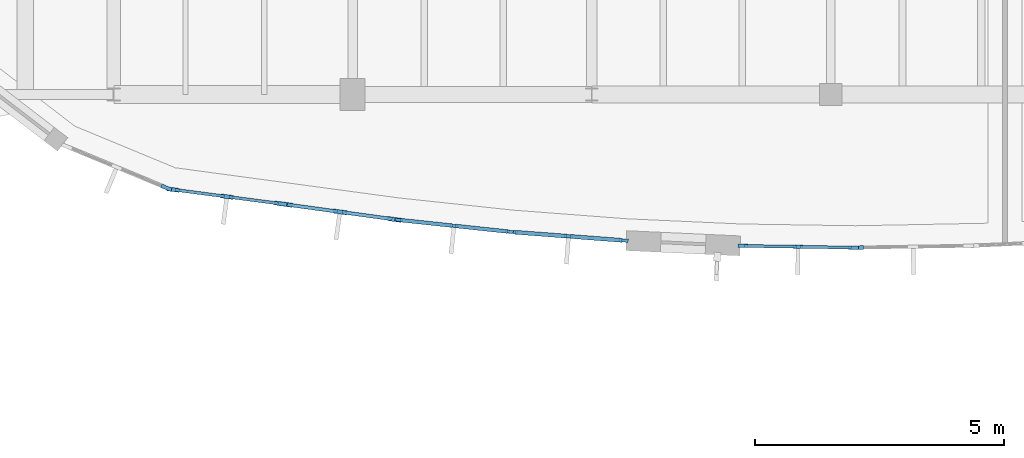
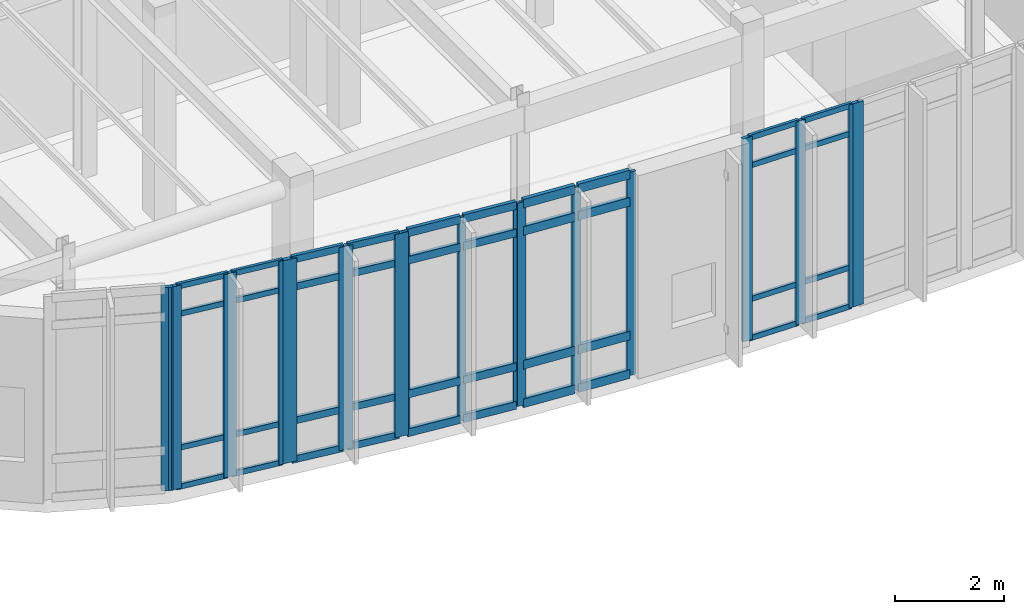
# One storey, part 55 of 120: 57 members, 7 elements without a shape of their own.
"""IFC4 building model written with IfcOpenShell, lengths in metres."""

from ifc_helpers import new_model, si_unit, direction, frame, origin, origin_2d, place, context, subcontext, project, spatial, rectangle, extrude, material, material_profile, profile_set, type_object, element, aggregate, save


model = new_model("IFC4")

# Units and contexts
model_context = context("Model", 3, precision=1e-05, world=origin(), true_north=direction((0.0, 1.0)))
body_context = subcontext(model_context, "Body", "Model", "MODEL_VIEW")
ifc_project = project(units=[si_unit("LENGTHUNIT", "METRE"), si_unit("AREAUNIT", "SQUARE_METRE"), si_unit("VOLUMEUNIT", "CUBIC_METRE"), si_unit("PLANEANGLEUNIT", "RADIAN"), si_unit("MASSUNIT", "GRAM", prefix="KILO")], contexts=[model_context])

# Site, building, storey
site_placement = place(None, origin())
site = spatial("IfcSite", under=ifc_project, at=site_placement, CompositionType="ELEMENT")
building_placement = place(site_placement, origin())
building = spatial("IfcBuilding", under=site, at=building_placement, Name="Corveleigh Park Community Centre", CompositionType="ELEMENT")
storey_placement = place(building_placement, origin())
storey = spatial("IfcBuildingStorey", under=building, at=storey_placement, Name="L00", CompositionType="ELEMENT", Elevation=0.0)

# Curtain wall, members
ifc_material = material(Name="Anodised aluminium 6063-T6", Category="aluminium")
curtain_wall_type = type_object("IfcCurtainWallType", Name="CW-SYS-V4-L00", PredefinedType="NOTDEFINED", material=ifc_material)
curtain_wall_1_placement = place(storey_placement, origin())
curtain_wall_1 = element("IfcCurtainWall", 1, at=curtain_wall_1_placement, inside=storey, type_object=curtain_wall_type, Name="V4 L00 Curtain Wall 109", PredefinedType="NOTDEFINED")
ifc_material_profile_1 = material_profile(ifc_material, rectangle(XDim=0.06005859375, YDim=0.159912109375, at=origin_2d()), Name="ALU-M60x160", Category="aluminium")
ifc_profile_set_1 = profile_set([ifc_material_profile_1], Name="Anodised aluminium 6063-T6")
member_type_1 = type_object("IfcMemberType", Name="CWM-60x160", PredefinedType="MULLION", material=ifc_profile_set_1)
member_1_placement = place(storey_placement, frame((142.544189453125, 55.84423828125, 0.0), z_axis=(0.0, 0.0, 1.0), x_axis=(-0.106070735992, -0.994358586711, 0.0)))
member_1 = element("IfcMember", 2, at=member_1_placement, type_object=member_type_1, Name="CW07 mullion 1", PredefinedType="MULLION", context=body_context, shape_type="SweptSolid", body=[
    extrude(rectangle(XDim=0.06005859375, YDim=0.159912109375, at=origin_2d()), origin(), (0.0, 0.0, 1.0), 4.537109375),
])
member_2_placement = place(storey_placement, frame((141.43505859375, 55.96240234375, 0.0), z_axis=(0.0, 0.0, 1.0), x_axis=(-0.106070735992, -0.994358586711, 0.0)))
member_2 = element("IfcMember", 3, at=member_2_placement, type_object=member_type_1, Name="CW07 mullion 2", PredefinedType="MULLION", context=body_context, shape_type="SweptSolid", body=[
    extrude(rectangle(XDim=0.06005859375, YDim=0.159912109375, at=origin_2d()), origin(), (0.0, 0.0, 1.0), 4.537109375),
])
member_3_placement = place(storey_placement, frame((140.325927734375, 56.080810546875, 0.0), z_axis=(0.0, 0.0, 1.0), x_axis=(-0.106070735992, -0.994358586711, 0.0)))
member_3 = element("IfcMember", 4, at=member_3_placement, type_object=member_type_1, Name="CW07 mullion 3", PredefinedType="MULLION", context=body_context, shape_type="SweptSolid", body=[
    extrude(rectangle(XDim=0.06005859375, YDim=0.159912109375, at=origin_2d()), origin(), (0.0, 0.0, 1.0), 4.537109375),
])

curtain_wall_2_placement = place(storey_placement, origin())
curtain_wall_2 = element("IfcCurtainWall", 5, at=curtain_wall_2_placement, inside=storey, type_object=curtain_wall_type, Name="V4 L00 Curtain Wall 110", PredefinedType="NOTDEFINED")
ifc_material_profile_2 = material_profile(ifc_material, rectangle(XDim=0.06494140625, YDim=0.179931640625, at=origin_2d()), Name="ALU-M65x180", Category="aluminium")
ifc_profile_set_2 = profile_set([ifc_material_profile_2], Name="Anodised aluminium 6063-T6")
member_type_2 = type_object("IfcMemberType", Name="CWM-65x180", PredefinedType="MULLION", material=ifc_profile_set_2)
member_4_placement = place(storey_placement, frame((144.843505859375, 55.66845703125, 0.0), z_axis=(0.0, 0.0, 1.0), x_axis=(-0.075527958586, -0.997143684467, 0.0)))
member_4 = element("IfcMember", 6, at=member_4_placement, type_object=member_type_2, Name="CW07 mullion 1", PredefinedType="MULLION", context=body_context, shape_type="SweptSolid", body=[
    extrude(rectangle(XDim=0.06494140625, YDim=0.179931640625, at=origin_2d()), origin(), (0.0, 0.0, 1.0), 4.537109375),
])
member_5_placement = place(storey_placement, frame((143.73388671875, 55.75244140625, 0.0), z_axis=(0.0, 0.0, 1.0), x_axis=(-0.075527958586, -0.997143684467, 0.0)))
member_5 = element("IfcMember", 7, at=member_5_placement, type_object=member_type_2, Name="CW07 mullion 2", PredefinedType="MULLION", context=body_context, shape_type="SweptSolid", body=[
    extrude(rectangle(XDim=0.06494140625, YDim=0.179931640625, at=origin_2d()), origin(), (0.0, 0.0, 1.0), 4.537109375),
])
member_6_placement = place(storey_placement, frame((142.62451171875, 55.83642578125, 0.0), z_axis=(0.0, 0.0, 1.0), x_axis=(-0.075527958586, -0.997143684467, 0.0)))
member_6 = element("IfcMember", 8, at=member_6_placement, type_object=member_type_2, Name="CW07 mullion 3", PredefinedType="MULLION", context=body_context, shape_type="SweptSolid", body=[
    extrude(rectangle(XDim=0.06494140625, YDim=0.179931640625, at=origin_2d()), origin(), (0.0, 0.0, 1.0), 4.537109375),
])

curtain_wall_3_placement = place(storey_placement, origin())
curtain_wall_3 = element("IfcCurtainWall", 9, at=curtain_wall_3_placement, inside=storey, type_object=curtain_wall_type, Name="V4 L00 Curtain Wall 111", PredefinedType="NOTDEFINED")
ifc_material_profile_3 = material_profile(ifc_material, rectangle(XDim=0.070068359375, YDim=0.199951171875, at=origin_2d()), Name="ALU-M70x200", Category="aluminium")
ifc_profile_set_3 = profile_set([ifc_material_profile_3], Name="Anodised aluminium 6063-T6")
member_type_3 = type_object("IfcMemberType", Name="CWM-70x200", PredefinedType="MULLION", material=ifc_profile_set_3)
member_7_placement = place(storey_placement, frame((149.4560546875, 55.524658203125, 0.0), z_axis=(0.0, 0.0, 1.0), x_axis=(-0.01571172252, -0.999876563269, 0.0)))
member_7 = element("IfcMember", 10, at=member_7_placement, type_object=member_type_3, Name="CW07 mullion 1", PredefinedType="MULLION", context=body_context, shape_type="SweptSolid", body=[
    extrude(rectangle(XDim=0.070068359375, YDim=0.199951171875, at=origin_2d()), origin(), (0.0, 0.0, 1.0), 4.537109375),
])
member_8_placement = place(storey_placement, frame((148.345458984375, 55.5419921875, 0.0), z_axis=(0.0, 0.0, 1.0), x_axis=(-0.01571172252, -0.999876563269, 0.0)))
member_8 = element("IfcMember", 11, at=member_8_placement, type_object=member_type_3, Name="CW07 mullion 2", PredefinedType="MULLION", context=body_context, shape_type="SweptSolid", body=[
    extrude(rectangle(XDim=0.070068359375, YDim=0.199951171875, at=origin_2d()), origin(), (0.0, 0.0, 1.0), 4.537109375),
])
member_9_placement = place(storey_placement, frame((147.235107421875, 55.5595703125, 0.0), z_axis=(0.0, 0.0, 1.0), x_axis=(-0.01571172252, -0.999876563269, 0.0)))
member_9 = element("IfcMember", 12, at=member_9_placement, type_object=member_type_3, Name="CW07 mullion 3", PredefinedType="MULLION", context=body_context, shape_type="SweptSolid", body=[
    extrude(rectangle(XDim=0.070068359375, YDim=0.199951171875, at=origin_2d()), origin(), (0.0, 0.0, 1.0), 4.537109375),
])

# Curtain wall, member
curtain_wall_4_placement = place(storey_placement, origin())
curtain_wall_4 = element("IfcCurtainWall", 13, at=curtain_wall_4_placement, inside=storey, type_object=curtain_wall_type, Name="V4 L00 Curtain Wall 112", PredefinedType="NOTDEFINED")
ifc_material_profile_4 = material_profile(ifc_material, rectangle(XDim=0.074951171875, YDim=0.219970703125, at=origin_2d()), Name="ALU-M75x220", Category="aluminium")
ifc_profile_set_4 = profile_set([ifc_material_profile_4], Name="Anodised aluminium 6063-T6")
member_type_4 = type_object("IfcMemberType", Name="CWM-75x220", PredefinedType="MULLION", material=ifc_profile_set_4)
member_10_placement = place(storey_placement, frame((149.54638671875, 55.524658203125, 0.0), z_axis=(0.0, 0.0, 1.0), x_axis=(0.01571172252, -0.999876563269, 0.0)))
member_10 = element("IfcMember", 14, at=member_10_placement, type_object=member_type_4, Name="CW07 mullion 3", PredefinedType="MULLION", context=body_context, shape_type="SweptSolid", body=[
    extrude(rectangle(XDim=0.074951171875, YDim=0.219970703125, at=origin_2d()), origin(), (0.0, 0.0, 1.0), 4.537109375),
])
aggregate(curtain_wall_4, [member_10])

curtain_wall_5_placement = place(storey_placement, origin())
curtain_wall_5 = element("IfcCurtainWall", 15, at=curtain_wall_5_placement, inside=storey, type_object=curtain_wall_type, Name="V4 L00 Curtain Wall 160", PredefinedType="NOTDEFINED")
member_11_placement = place(storey_placement, frame((135.657470703125, 56.726318359375, 0.0), z_axis=(0.0, 0.0, 1.0), x_axis=(-0.383024346152, -0.923738247695, 0.0)))
member_11 = element("IfcMember", 16, at=member_11_placement, type_object=member_type_4, Name="CW07 mullion 1", PredefinedType="MULLION", context=body_context, shape_type="SweptSolid", body=[
    extrude(rectangle(XDim=0.074951171875, YDim=0.219970703125, at=origin_2d()), origin(), (0.0, 0.0, 1.0), 4.537109375),
])
aggregate(curtain_wall_5, [member_11])

# Curtain wall, members
curtain_wall_6_placement = place(storey_placement, origin())
curtain_wall_6 = element("IfcCurtainWall", 17, at=curtain_wall_6_placement, inside=storey, type_object=curtain_wall_type, Name="V4 L00 Curtain Wall 161", PredefinedType="NOTDEFINED")
ifc_material_profile_5 = material_profile(ifc_material, rectangle(XDim=0.080078125, YDim=0.25, at=origin_2d()), Name="ALU-M80x250", Category="aluminium")
ifc_profile_set_5 = profile_set([ifc_material_profile_5], Name="Anodised aluminium 6063-T6")
member_type_5 = type_object("IfcMemberType", Name="CWM-80x250", PredefinedType="MULLION", material=ifc_profile_set_5)
member_12_placement = place(storey_placement, frame((137.953369140625, 56.40625, 0.0), z_axis=(0.0, 0.0, 1.0), x_axis=(-0.130626325881, -0.991431673383, 0.0)))
member_12 = element("IfcMember", 18, at=member_12_placement, type_object=member_type_5, Name="CW07 mullion 1", PredefinedType="MULLION", context=body_context, shape_type="SweptSolid", body=[
    extrude(rectangle(XDim=0.080078125, YDim=0.25, at=origin_2d()), origin(), (0.0, 0.0, 1.0), 4.537109375),
])
member_13_placement = place(storey_placement, frame((136.87353515625, 56.548583984375, 0.0), z_axis=(0.0, 0.0, 1.0), x_axis=(-0.130626325881, -0.991431673383, 0.0)))
member_13 = element("IfcMember", 19, at=member_13_placement, type_object=member_type_5, Name="CW07 mullion 2", PredefinedType="MULLION", context=body_context, shape_type="SweptSolid", body=[
    extrude(rectangle(XDim=0.080078125, YDim=0.25, at=origin_2d()), origin(), (0.0, 0.0, 1.0), 4.537109375),
])
member_14_placement = place(storey_placement, frame((135.793701171875, 56.690673828125, 0.0), z_axis=(0.0, 0.0, 1.0), x_axis=(-0.130626325881, -0.991431673383, 0.0)))
member_14 = element("IfcMember", 20, at=member_14_placement, type_object=member_type_5, Name="CW07 mullion 3", PredefinedType="MULLION", context=body_context, shape_type="SweptSolid", body=[
    extrude(rectangle(XDim=0.080078125, YDim=0.25, at=origin_2d()), origin(), (0.0, 0.0, 1.0), 4.537109375),
])

curtain_wall_7_placement = place(storey_placement, origin())
curtain_wall_7 = element("IfcCurtainWall", 21, at=curtain_wall_7_placement, inside=storey, type_object=curtain_wall_type, Name="V4 L00 Curtain Wall 108", PredefinedType="NOTDEFINED")
ifc_material_profile_6 = material_profile(ifc_material, rectangle(XDim=0.0849609375, YDim=0.27490234375, at=origin_2d()), Name="ALU-M85x275", Category="aluminium")
ifc_profile_set_6 = profile_set([ifc_material_profile_6], Name="Anodised aluminium 6063-T6")
member_type_6 = type_object("IfcMemberType", Name="CWM-85x275", PredefinedType="MULLION", material=ifc_profile_set_6)
member_15_placement = place(storey_placement, frame((140.23583984375, 56.091796875, 0.0), z_axis=(0.0, 0.0, 1.0), x_axis=(-0.136534069852, -0.990635375791, 0.0)))
member_15 = element("IfcMember", 22, at=member_15_placement, type_object=member_type_6, Name="CW07 mullion 1", PredefinedType="MULLION", context=body_context, shape_type="SweptSolid", body=[
    extrude(rectangle(XDim=0.0849609375, YDim=0.27490234375, at=origin_2d()), origin(), (0.0, 0.0, 1.0), 4.537109375),
])
member_16_placement = place(storey_placement, frame((139.142578125, 56.242431640625, 0.0), z_axis=(0.0, 0.0, 1.0), x_axis=(-0.136534069852, -0.990635375791, 0.0)))
member_16 = element("IfcMember", 23, at=member_16_placement, type_object=member_type_6, Name="CW07 mullion 2", PredefinedType="MULLION", context=body_context, shape_type="SweptSolid", body=[
    extrude(rectangle(XDim=0.0849609375, YDim=0.27490234375, at=origin_2d()), origin(), (0.0, 0.0, 1.0), 4.537109375),
])
member_17_placement = place(storey_placement, frame((138.049072265625, 56.393310546875, 0.0), z_axis=(0.0, 0.0, 1.0), x_axis=(-0.136534069852, -0.990635375791, 0.0)))
member_17 = element("IfcMember", 24, at=member_17_placement, type_object=member_type_6, Name="CW07 mullion 3", PredefinedType="MULLION", context=body_context, shape_type="SweptSolid", body=[
    extrude(rectangle(XDim=0.0849609375, YDim=0.27490234375, at=origin_2d()), origin(), (0.0, 0.0, 1.0), 4.537109375),
])

# Member
ifc_material_profile_7 = material_profile(ifc_material, rectangle(XDim=0.06005859375, YDim=0.1201171875, at=origin_2d()), Name="ALU-T60x120", Category="aluminium")
ifc_profile_set_7 = profile_set([ifc_material_profile_7], Name="Anodised aluminium 6063-T6")
member_type_7 = type_object("IfcMemberType", Name="CWT-60x120", PredefinedType="USERDEFINED", material=ifc_profile_set_7)
member_18_placement = place(storey_placement, frame((149.4208984375, 55.525146484375, 0.030029296875), z_axis=(-0.999876400698, 0.015722064972, 0.0), x_axis=(-0.015722064972, -0.999876400698, 0.0)))
member_18 = element("IfcMember", 25, at=member_18_placement, type_object=member_type_7, Name="CW07 transom 1.1", ObjectType="TRANSOM", PredefinedType="USERDEFINED", context=body_context, shape_type="SweptSolid", body=[
    extrude(rectangle(XDim=0.06005859375, YDim=0.1201171875, at=origin_2d()), origin(), (0.0, 0.0, 1.0), 1.04052734375),
])

member_19_placement = place(storey_placement, frame((149.4208984375, 55.525146484375, 0.89990234375), z_axis=(-0.999876400698, 0.015722064972, 0.0), x_axis=(-0.015722064972, -0.999876400698, 0.0)))
member_19 = element("IfcMember", 26, at=member_19_placement, type_object=member_type_7, Name="CW07 transom 1.2", ObjectType="TRANSOM", PredefinedType="USERDEFINED", context=body_context, shape_type="SweptSolid", body=[
    extrude(rectangle(XDim=0.06005859375, YDim=0.1201171875, at=origin_2d()), origin(), (0.0, 0.0, 1.0), 1.04052734375),
])

member_20_placement = place(storey_placement, frame((149.4208984375, 55.525146484375, 3.886962890625), z_axis=(-0.999876400698, 0.015722064972, 0.0), x_axis=(-0.015722064972, -0.999876400698, 0.0)))
member_20 = element("IfcMember", 27, at=member_20_placement, type_object=member_type_7, Name="CW07 transom 1.3", ObjectType="TRANSOM", PredefinedType="USERDEFINED", context=body_context, shape_type="SweptSolid", body=[
    extrude(rectangle(XDim=0.06005859375, YDim=0.1201171875, at=origin_2d()), origin(), (0.0, 0.0, 1.0), 1.04052734375),
])

member_21_placement = place(storey_placement, frame((149.4208984375, 55.525146484375, 4.507080078125), z_axis=(-0.999876400698, 0.015722064972, 0.0), x_axis=(-0.015722064972, -0.999876400698, 0.0)))
member_21 = element("IfcMember", 28, at=member_21_placement, type_object=member_type_7, Name="CW07 transom 1.4", ObjectType="TRANSOM", PredefinedType="USERDEFINED", context=body_context, shape_type="SweptSolid", body=[
    extrude(rectangle(XDim=0.06005859375, YDim=0.1201171875, at=origin_2d()), origin(), (0.0, 0.0, 1.0), 1.04052734375),
])

member_22_placement = place(storey_placement, frame((148.310546875, 55.54248046875, 0.030029296875), z_axis=(-0.999876458681, 0.01571837699, 0.0), x_axis=(-0.01571837699, -0.999876458681, 0.0)))
member_22 = element("IfcMember", 29, at=member_22_placement, type_object=member_type_7, Name="CW07 transom 2.1", ObjectType="TRANSOM", PredefinedType="USERDEFINED", context=body_context, shape_type="SweptSolid", body=[
    extrude(rectangle(XDim=0.06005859375, YDim=0.1201171875, at=origin_2d()), origin(), (0.0, 0.0, 1.0), 1.040771484375),
])

member_23_placement = place(storey_placement, frame((148.310546875, 55.54248046875, 0.89990234375), z_axis=(-0.999876458681, 0.01571837699, 0.0), x_axis=(-0.01571837699, -0.999876458681, 0.0)))
member_23 = element("IfcMember", 30, at=member_23_placement, type_object=member_type_7, Name="CW07 transom 2.2", ObjectType="TRANSOM", PredefinedType="USERDEFINED", context=body_context, shape_type="SweptSolid", body=[
    extrude(rectangle(XDim=0.06005859375, YDim=0.1201171875, at=origin_2d()), origin(), (0.0, 0.0, 1.0), 1.040771484375),
])

member_24_placement = place(storey_placement, frame((148.310546875, 55.54248046875, 3.886962890625), z_axis=(-0.999876458681, 0.01571837699, 0.0), x_axis=(-0.01571837699, -0.999876458681, 0.0)))
member_24 = element("IfcMember", 31, at=member_24_placement, type_object=member_type_7, Name="CW07 transom 2.3", ObjectType="TRANSOM", PredefinedType="USERDEFINED", context=body_context, shape_type="SweptSolid", body=[
    extrude(rectangle(XDim=0.06005859375, YDim=0.1201171875, at=origin_2d()), origin(), (0.0, 0.0, 1.0), 1.040771484375),
])

member_25_placement = place(storey_placement, frame((148.310546875, 55.54248046875, 4.507080078125), z_axis=(-0.999876458681, 0.01571837699, 0.0), x_axis=(-0.01571837699, -0.999876458681, 0.0)))
member_25 = element("IfcMember", 32, at=member_25_placement, type_object=member_type_7, Name="CW07 transom 2.4", ObjectType="TRANSOM", PredefinedType="USERDEFINED", context=body_context, shape_type="SweptSolid", body=[
    extrude(rectangle(XDim=0.06005859375, YDim=0.1201171875, at=origin_2d()), origin(), (0.0, 0.0, 1.0), 1.040771484375),
])

aggregate(curtain_wall_3, [member_7, member_8, member_9, member_18, member_19, member_20, member_21, member_22, member_23, member_24, member_25])

member_26_placement = place(storey_placement, frame((137.91357421875, 56.411376953125, 0.030029296875), z_axis=(-0.991429574216, 0.130642257217, 0.0), x_axis=(-0.130642257217, -0.991429574216, 0.0)))
member_26 = element("IfcMember", 33, at=member_26_placement, type_object=member_type_7, Name="CW07 transom 1.1", ObjectType="TRANSOM", PredefinedType="USERDEFINED", context=body_context, shape_type="SweptSolid", body=[
    extrude(rectangle(XDim=0.06005859375, YDim=0.1201171875, at=origin_2d()), origin(), (0.0, 0.0, 1.0), 1.009033203125),
])

member_27_placement = place(storey_placement, frame((137.91357421875, 56.411376953125, 0.89990234375), z_axis=(-0.991429574216, 0.130642257217, 0.0), x_axis=(-0.130642257217, -0.991429574216, 0.0)))
member_27 = element("IfcMember", 34, at=member_27_placement, type_object=member_type_7, Name="CW07 transom 1.2", ObjectType="TRANSOM", PredefinedType="USERDEFINED", context=body_context, shape_type="SweptSolid", body=[
    extrude(rectangle(XDim=0.06005859375, YDim=0.1201171875, at=origin_2d()), origin(), (0.0, 0.0, 1.0), 1.009033203125),
])

member_28_placement = place(storey_placement, frame((137.91357421875, 56.411376953125, 3.886962890625), z_axis=(-0.991429574216, 0.130642257217, 0.0), x_axis=(-0.130642257217, -0.991429574216, 0.0)))
member_28 = element("IfcMember", 35, at=member_28_placement, type_object=member_type_7, Name="CW07 transom 1.3", ObjectType="TRANSOM", PredefinedType="USERDEFINED", context=body_context, shape_type="SweptSolid", body=[
    extrude(rectangle(XDim=0.06005859375, YDim=0.1201171875, at=origin_2d()), origin(), (0.0, 0.0, 1.0), 1.009033203125),
])

member_29_placement = place(storey_placement, frame((137.91357421875, 56.411376953125, 4.507080078125), z_axis=(-0.991429574216, 0.130642257217, 0.0), x_axis=(-0.130642257217, -0.991429574216, 0.0)))
member_29 = element("IfcMember", 36, at=member_29_placement, type_object=member_type_7, Name="CW07 transom 1.4", ObjectType="TRANSOM", PredefinedType="USERDEFINED", context=body_context, shape_type="SweptSolid", body=[
    extrude(rectangle(XDim=0.06005859375, YDim=0.1201171875, at=origin_2d()), origin(), (0.0, 0.0, 1.0), 1.009033203125),
])

member_30_placement = place(storey_placement, frame((136.833740234375, 56.5537109375, 0.030029296875), z_axis=(-0.991429574216, 0.130642257217, 0.0), x_axis=(-0.130642257217, -0.991429574216, 0.0)))
member_30 = element("IfcMember", 37, at=member_30_placement, type_object=member_type_7, Name="CW07 transom 2.1", ObjectType="TRANSOM", PredefinedType="USERDEFINED", context=body_context, shape_type="SweptSolid", body=[
    extrude(rectangle(XDim=0.06005859375, YDim=0.1201171875, at=origin_2d()), origin(), (0.0, 0.0, 1.0), 1.009033203125),
])

member_31_placement = place(storey_placement, frame((136.833740234375, 56.5537109375, 0.89990234375), z_axis=(-0.991429574216, 0.130642257217, 0.0), x_axis=(-0.130642257217, -0.991429574216, 0.0)))
member_31 = element("IfcMember", 38, at=member_31_placement, type_object=member_type_7, Name="CW07 transom 2.2", ObjectType="TRANSOM", PredefinedType="USERDEFINED", context=body_context, shape_type="SweptSolid", body=[
    extrude(rectangle(XDim=0.06005859375, YDim=0.1201171875, at=origin_2d()), origin(), (0.0, 0.0, 1.0), 1.009033203125),
])

member_32_placement = place(storey_placement, frame((136.833740234375, 56.5537109375, 3.886962890625), z_axis=(-0.991429574216, 0.130642257217, 0.0), x_axis=(-0.130642257217, -0.991429574216, 0.0)))
member_32 = element("IfcMember", 39, at=member_32_placement, type_object=member_type_7, Name="CW07 transom 2.3", ObjectType="TRANSOM", PredefinedType="USERDEFINED", context=body_context, shape_type="SweptSolid", body=[
    extrude(rectangle(XDim=0.06005859375, YDim=0.1201171875, at=origin_2d()), origin(), (0.0, 0.0, 1.0), 1.009033203125),
])

member_33_placement = place(storey_placement, frame((136.833740234375, 56.5537109375, 4.507080078125), z_axis=(-0.991429574216, 0.130642257217, 0.0), x_axis=(-0.130642257217, -0.991429574216, 0.0)))
member_33 = element("IfcMember", 40, at=member_33_placement, type_object=member_type_7, Name="CW07 transom 2.4", ObjectType="TRANSOM", PredefinedType="USERDEFINED", context=body_context, shape_type="SweptSolid", body=[
    extrude(rectangle(XDim=0.06005859375, YDim=0.1201171875, at=origin_2d()), origin(), (0.0, 0.0, 1.0), 1.009033203125),
])

aggregate(curtain_wall_6, [member_12, member_13, member_14, member_26, member_27, member_28, member_29, member_30, member_31, member_32, member_33])

ifc_material_profile_8 = material_profile(ifc_material, rectangle(XDim=0.070068359375, YDim=0.155029296875, at=origin_2d()), Name="ALU-T70x155", Category="aluminium")
ifc_profile_set_8 = profile_set([ifc_material_profile_8], Name="Anodised aluminium 6063-T6")
member_type_8 = type_object("IfcMemberType", Name="CWT-70x155", PredefinedType="USERDEFINED", material=ifc_profile_set_8)
member_34_placement = place(storey_placement, frame((140.19384765625, 56.09765625, 0.034912109375), z_axis=(-0.99062783879, 0.1365887441, 0.0), x_axis=(-0.1365887441, -0.99062783879, 0.0)))
member_34 = element("IfcMember", 41, at=member_34_placement, type_object=member_type_8, Name="CW07 transom 1.1", ObjectType="TRANSOM", PredefinedType="USERDEFINED", context=body_context, shape_type="SweptSolid", body=[
    extrude(rectangle(XDim=0.070068359375, YDim=0.155029296875, at=origin_2d()), origin(), (0.0, 0.0, 1.0), 1.018798828125),
])

member_35_placement = place(storey_placement, frame((140.19384765625, 56.09765625, 0.89990234375), z_axis=(-0.99062783879, 0.1365887441, 0.0), x_axis=(-0.1365887441, -0.99062783879, 0.0)))
member_35 = element("IfcMember", 42, at=member_35_placement, type_object=member_type_8, Name="CW07 transom 1.2", ObjectType="TRANSOM", PredefinedType="USERDEFINED", context=body_context, shape_type="SweptSolid", body=[
    extrude(rectangle(XDim=0.070068359375, YDim=0.155029296875, at=origin_2d()), origin(), (0.0, 0.0, 1.0), 1.018798828125),
])

member_36_placement = place(storey_placement, frame((140.19384765625, 56.09765625, 3.886962890625), z_axis=(-0.99062783879, 0.1365887441, 0.0), x_axis=(-0.1365887441, -0.99062783879, 0.0)))
member_36 = element("IfcMember", 43, at=member_36_placement, type_object=member_type_8, Name="CW07 transom 1.3", ObjectType="TRANSOM", PredefinedType="USERDEFINED", context=body_context, shape_type="SweptSolid", body=[
    extrude(rectangle(XDim=0.070068359375, YDim=0.155029296875, at=origin_2d()), origin(), (0.0, 0.0, 1.0), 1.018798828125),
])

member_37_placement = place(storey_placement, frame((140.19384765625, 56.09765625, 4.501953125), z_axis=(-0.99062783879, 0.1365887441, 0.0), x_axis=(-0.1365887441, -0.99062783879, 0.0)))
member_37 = element("IfcMember", 44, at=member_37_placement, type_object=member_type_8, Name="CW07 transom 1.4", ObjectType="TRANSOM", PredefinedType="USERDEFINED", context=body_context, shape_type="SweptSolid", body=[
    extrude(rectangle(XDim=0.070068359375, YDim=0.155029296875, at=origin_2d()), origin(), (0.0, 0.0, 1.0), 1.018798828125),
])

member_38_placement = place(storey_placement, frame((139.100341796875, 56.248291015625, 0.034912109375), z_axis=(-0.990623366555, 0.136621175644, 0.0), x_axis=(-0.136621175644, -0.990623366555, 0.0)))
member_38 = element("IfcMember", 45, at=member_38_placement, type_object=member_type_8, Name="CW07 transom 2.1", ObjectType="TRANSOM", PredefinedType="USERDEFINED", context=body_context, shape_type="SweptSolid", body=[
    extrude(rectangle(XDim=0.070068359375, YDim=0.155029296875, at=origin_2d()), origin(), (0.0, 0.0, 1.0), 1.0185546875),
])

member_39_placement = place(storey_placement, frame((139.100341796875, 56.248291015625, 0.89990234375), z_axis=(-0.990623366555, 0.136621175644, 0.0), x_axis=(-0.136621175644, -0.990623366555, 0.0)))
member_39 = element("IfcMember", 46, at=member_39_placement, type_object=member_type_8, Name="CW07 transom 2.2", ObjectType="TRANSOM", PredefinedType="USERDEFINED", context=body_context, shape_type="SweptSolid", body=[
    extrude(rectangle(XDim=0.070068359375, YDim=0.155029296875, at=origin_2d()), origin(), (0.0, 0.0, 1.0), 1.0185546875),
])

member_40_placement = place(storey_placement, frame((139.100341796875, 56.248291015625, 3.886962890625), z_axis=(-0.990623366555, 0.136621175644, 0.0), x_axis=(-0.136621175644, -0.990623366555, 0.0)))
member_40 = element("IfcMember", 47, at=member_40_placement, type_object=member_type_8, Name="CW07 transom 2.3", ObjectType="TRANSOM", PredefinedType="USERDEFINED", context=body_context, shape_type="SweptSolid", body=[
    extrude(rectangle(XDim=0.070068359375, YDim=0.155029296875, at=origin_2d()), origin(), (0.0, 0.0, 1.0), 1.0185546875),
])

member_41_placement = place(storey_placement, frame((139.100341796875, 56.248291015625, 4.501953125), z_axis=(-0.990623366555, 0.136621175644, 0.0), x_axis=(-0.136621175644, -0.990623366555, 0.0)))
member_41 = element("IfcMember", 48, at=member_41_placement, type_object=member_type_8, Name="CW07 transom 2.4", ObjectType="TRANSOM", PredefinedType="USERDEFINED", context=body_context, shape_type="SweptSolid", body=[
    extrude(rectangle(XDim=0.070068359375, YDim=0.155029296875, at=origin_2d()), origin(), (0.0, 0.0, 1.0), 1.0185546875),
])

aggregate(curtain_wall_7, [member_15, member_16, member_17, member_34, member_35, member_36, member_37, member_38, member_39, member_40, member_41])

ifc_material_profile_9 = material_profile(ifc_material, rectangle(XDim=0.074951171875, YDim=0.175048828125, at=origin_2d()), Name="ALU-T75x175", Category="aluminium")
ifc_profile_set_9 = profile_set([ifc_material_profile_9], Name="Anodised aluminium 6063-T6")
member_type_9 = type_object("IfcMemberType", Name="CWT-75x175", PredefinedType="USERDEFINED", material=ifc_profile_set_9)
member_42_placement = place(storey_placement, frame((142.514404296875, 55.847412109375, 0.03759765625), z_axis=(-0.994372853388, 0.105936907851, 0.0), x_axis=(-0.105936907851, -0.994372853388, 0.0)))
member_42 = element("IfcMember", 49, at=member_42_placement, type_object=member_type_9, Name="CW07 transom 1.1", ObjectType="TRANSOM", PredefinedType="USERDEFINED", context=body_context, shape_type="SweptSolid", body=[
    extrude(rectangle(XDim=0.074951171875, YDim=0.175048828125, at=origin_2d()), origin(), (0.0, 0.0, 1.0), 1.055419921875),
])

member_43_placement = place(storey_placement, frame((142.514404296875, 55.847412109375, 0.89990234375), z_axis=(-0.994372853388, 0.105936907851, 0.0), x_axis=(-0.105936907851, -0.994372853388, 0.0)))
member_43 = element("IfcMember", 50, at=member_43_placement, type_object=member_type_9, Name="CW07 transom 1.2", ObjectType="TRANSOM", PredefinedType="USERDEFINED", context=body_context, shape_type="SweptSolid", body=[
    extrude(rectangle(XDim=0.074951171875, YDim=0.175048828125, at=origin_2d()), origin(), (0.0, 0.0, 1.0), 1.055419921875),
])

member_44_placement = place(storey_placement, frame((142.514404296875, 55.847412109375, 3.886962890625), z_axis=(-0.994372853388, 0.105936907851, 0.0), x_axis=(-0.105936907851, -0.994372853388, 0.0)))
member_44 = element("IfcMember", 51, at=member_44_placement, type_object=member_type_9, Name="CW07 transom 1.3", ObjectType="TRANSOM", PredefinedType="USERDEFINED", context=body_context, shape_type="SweptSolid", body=[
    extrude(rectangle(XDim=0.074951171875, YDim=0.175048828125, at=origin_2d()), origin(), (0.0, 0.0, 1.0), 1.055419921875),
])

member_45_placement = place(storey_placement, frame((142.514404296875, 55.847412109375, 4.49951171875), z_axis=(-0.994372853388, 0.105936907851, 0.0), x_axis=(-0.105936907851, -0.994372853388, 0.0)))
member_45 = element("IfcMember", 52, at=member_45_placement, type_object=member_type_9, Name="CW07 transom 1.4", ObjectType="TRANSOM", PredefinedType="USERDEFINED", context=body_context, shape_type="SweptSolid", body=[
    extrude(rectangle(XDim=0.074951171875, YDim=0.175048828125, at=origin_2d()), origin(), (0.0, 0.0, 1.0), 1.055419921875),
])

member_46_placement = place(storey_placement, frame((141.4052734375, 55.965576171875, 0.03759765625), z_axis=(-0.994348462015, 0.1061656069, 0.0), x_axis=(-0.1061656069, -0.994348462015, 0.0)))
member_46 = element("IfcMember", 53, at=member_46_placement, type_object=member_type_9, Name="CW07 transom 2.1", ObjectType="TRANSOM", PredefinedType="USERDEFINED", context=body_context, shape_type="SweptSolid", body=[
    extrude(rectangle(XDim=0.074951171875, YDim=0.175048828125, at=origin_2d()), origin(), (0.0, 0.0, 1.0), 1.055419921875),
])

member_47_placement = place(storey_placement, frame((141.4052734375, 55.965576171875, 0.89990234375), z_axis=(-0.994348462015, 0.1061656069, 0.0), x_axis=(-0.1061656069, -0.994348462015, 0.0)))
member_47 = element("IfcMember", 54, at=member_47_placement, type_object=member_type_9, Name="CW07 transom 2.2", ObjectType="TRANSOM", PredefinedType="USERDEFINED", context=body_context, shape_type="SweptSolid", body=[
    extrude(rectangle(XDim=0.074951171875, YDim=0.175048828125, at=origin_2d()), origin(), (0.0, 0.0, 1.0), 1.055419921875),
])

member_48_placement = place(storey_placement, frame((141.4052734375, 55.965576171875, 3.886962890625), z_axis=(-0.994348462015, 0.1061656069, 0.0), x_axis=(-0.1061656069, -0.994348462015, 0.0)))
member_48 = element("IfcMember", 55, at=member_48_placement, type_object=member_type_9, Name="CW07 transom 2.3", ObjectType="TRANSOM", PredefinedType="USERDEFINED", context=body_context, shape_type="SweptSolid", body=[
    extrude(rectangle(XDim=0.074951171875, YDim=0.175048828125, at=origin_2d()), origin(), (0.0, 0.0, 1.0), 1.055419921875),
])

member_49_placement = place(storey_placement, frame((141.4052734375, 55.965576171875, 4.49951171875), z_axis=(-0.994348462015, 0.1061656069, 0.0), x_axis=(-0.1061656069, -0.994348462015, 0.0)))
member_49 = element("IfcMember", 56, at=member_49_placement, type_object=member_type_9, Name="CW07 transom 2.4", ObjectType="TRANSOM", PredefinedType="USERDEFINED", context=body_context, shape_type="SweptSolid", body=[
    extrude(rectangle(XDim=0.074951171875, YDim=0.175048828125, at=origin_2d()), origin(), (0.0, 0.0, 1.0), 1.055419921875),
])

aggregate(curtain_wall_1, [member_1, member_2, member_3, member_42, member_43, member_44, member_45, member_46, member_47, member_48, member_49])

ifc_material_profile_10 = material_profile(ifc_material, rectangle(XDim=0.080078125, YDim=0.195068359375, at=origin_2d()), Name="ALU-T80x195", Category="aluminium")
ifc_profile_set_10 = profile_set([ifc_material_profile_10], Name="Anodised aluminium 6063-T6")
member_type_10 = type_object("IfcMemberType", Name="CWT-80x195", PredefinedType="USERDEFINED", material=ifc_profile_set_10)
member_50_placement = place(storey_placement, frame((144.811279296875, 55.6708984375, 0.0400390625), z_axis=(-0.997146940786, 0.075484955331, 0.0), x_axis=(-0.075484955331, -0.997146940786, 0.0)))
member_50 = element("IfcMember", 57, at=member_50_placement, type_object=member_type_10, Name="CW07 transom 1.1", ObjectType="TRANSOM", PredefinedType="USERDEFINED", context=body_context, shape_type="SweptSolid", body=[
    extrude(rectangle(XDim=0.080078125, YDim=0.195068359375, at=origin_2d()), origin(), (0.0, 0.0, 1.0), 1.0478515625),
])

member_51_placement = place(storey_placement, frame((144.811279296875, 55.6708984375, 0.89990234375), z_axis=(-0.997146940786, 0.075484955331, 0.0), x_axis=(-0.075484955331, -0.997146940786, 0.0)))
member_51 = element("IfcMember", 58, at=member_51_placement, type_object=member_type_10, Name="CW07 transom 1.2", ObjectType="TRANSOM", PredefinedType="USERDEFINED", context=body_context, shape_type="SweptSolid", body=[
    extrude(rectangle(XDim=0.080078125, YDim=0.195068359375, at=origin_2d()), origin(), (0.0, 0.0, 1.0), 1.0478515625),
])

member_52_placement = place(storey_placement, frame((144.811279296875, 55.6708984375, 3.886962890625), z_axis=(-0.997146940786, 0.075484955331, 0.0), x_axis=(-0.075484955331, -0.997146940786, 0.0)))
member_52 = element("IfcMember", 59, at=member_52_placement, type_object=member_type_10, Name="CW07 transom 1.3", ObjectType="TRANSOM", PredefinedType="USERDEFINED", context=body_context, shape_type="SweptSolid", body=[
    extrude(rectangle(XDim=0.080078125, YDim=0.195068359375, at=origin_2d()), origin(), (0.0, 0.0, 1.0), 1.0478515625),
])

member_53_placement = place(storey_placement, frame((144.811279296875, 55.6708984375, 4.4970703125), z_axis=(-0.997146940786, 0.075484955331, 0.0), x_axis=(-0.075484955331, -0.997146940786, 0.0)))
member_53 = element("IfcMember", 60, at=member_53_placement, type_object=member_type_10, Name="CW07 transom 1.4", ObjectType="TRANSOM", PredefinedType="USERDEFINED", context=body_context, shape_type="SweptSolid", body=[
    extrude(rectangle(XDim=0.080078125, YDim=0.195068359375, at=origin_2d()), origin(), (0.0, 0.0, 1.0), 1.0478515625),
])

member_54_placement = place(storey_placement, frame((143.70166015625, 55.7548828125, 0.0400390625), z_axis=(-0.997146940786, 0.075484955331, 0.0), x_axis=(-0.075484955331, -0.997146940786, 0.0)))
member_54 = element("IfcMember", 61, at=member_54_placement, type_object=member_type_10, Name="CW07 transom 2.1", ObjectType="TRANSOM", PredefinedType="USERDEFINED", context=body_context, shape_type="SweptSolid", body=[
    extrude(rectangle(XDim=0.080078125, YDim=0.195068359375, at=origin_2d()), origin(), (0.0, 0.0, 1.0), 1.0478515625),
])

member_55_placement = place(storey_placement, frame((143.70166015625, 55.7548828125, 0.89990234375), z_axis=(-0.997146940786, 0.075484955331, 0.0), x_axis=(-0.075484955331, -0.997146940786, 0.0)))
member_55 = element("IfcMember", 62, at=member_55_placement, type_object=member_type_10, Name="CW07 transom 2.2", ObjectType="TRANSOM", PredefinedType="USERDEFINED", context=body_context, shape_type="SweptSolid", body=[
    extrude(rectangle(XDim=0.080078125, YDim=0.195068359375, at=origin_2d()), origin(), (0.0, 0.0, 1.0), 1.0478515625),
])

member_56_placement = place(storey_placement, frame((143.70166015625, 55.7548828125, 3.886962890625), z_axis=(-0.997146940786, 0.075484955331, 0.0), x_axis=(-0.075484955331, -0.997146940786, 0.0)))
member_56 = element("IfcMember", 63, at=member_56_placement, type_object=member_type_10, Name="CW07 transom 2.3", ObjectType="TRANSOM", PredefinedType="USERDEFINED", context=body_context, shape_type="SweptSolid", body=[
    extrude(rectangle(XDim=0.080078125, YDim=0.195068359375, at=origin_2d()), origin(), (0.0, 0.0, 1.0), 1.0478515625),
])

member_57_placement = place(storey_placement, frame((143.70166015625, 55.7548828125, 4.4970703125), z_axis=(-0.997146940786, 0.075484955331, 0.0), x_axis=(-0.075484955331, -0.997146940786, 0.0)))
member_57 = element("IfcMember", 64, at=member_57_placement, type_object=member_type_10, Name="CW07 transom 2.4", ObjectType="TRANSOM", PredefinedType="USERDEFINED", context=body_context, shape_type="SweptSolid", body=[
    extrude(rectangle(XDim=0.080078125, YDim=0.195068359375, at=origin_2d()), origin(), (0.0, 0.0, 1.0), 1.0478515625),
])

aggregate(curtain_wall_2, [member_4, member_5, member_6, member_50, member_51, member_52, member_53, member_54, member_55, member_56, member_57])

save(model, "model.ifc")
